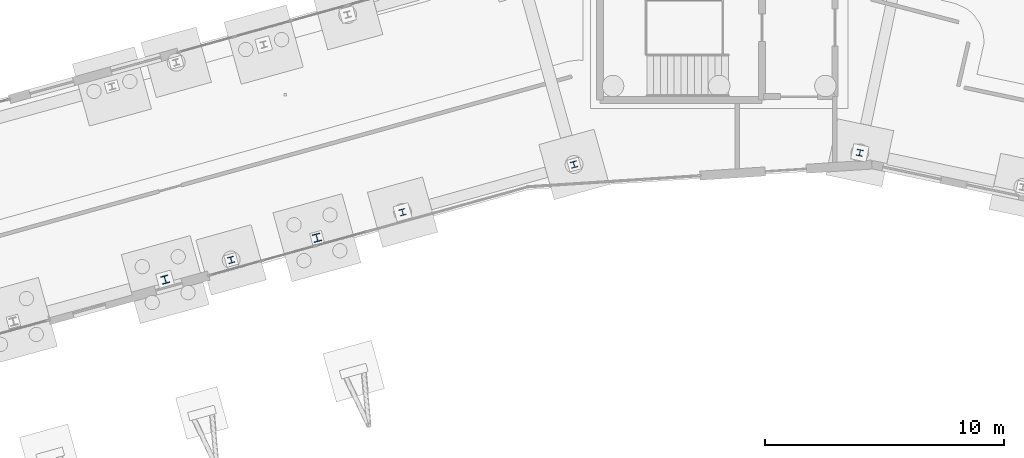
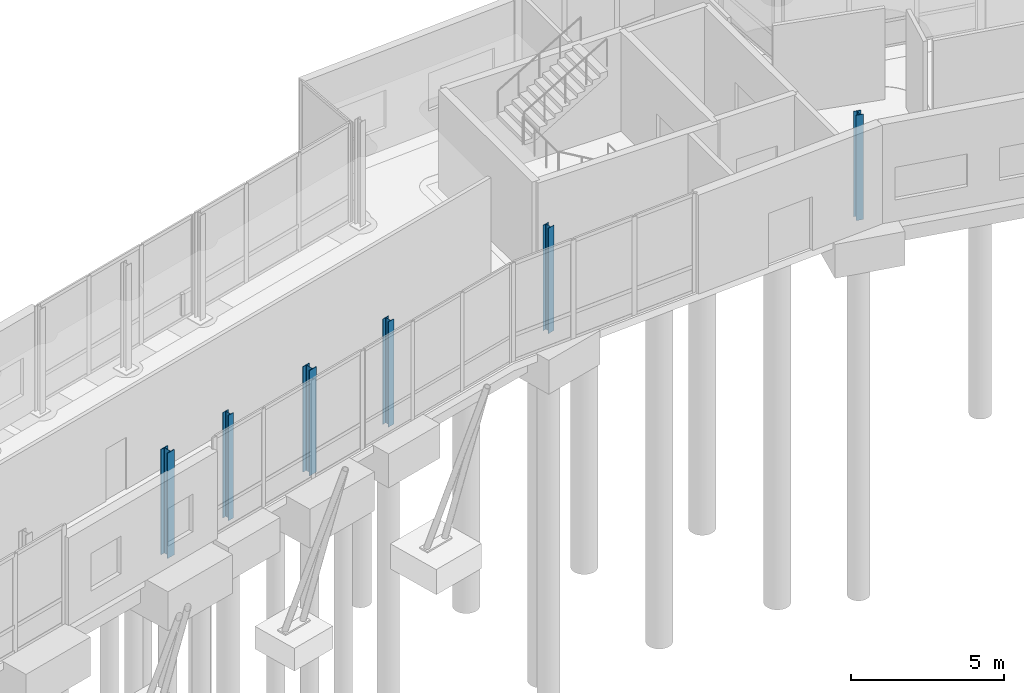
# One storey, part 8 of 113: 6 columns.
"""IFC4 building model written with IfcOpenShell, lengths in metres."""

from ifc_helpers import new_model, si_unit, direction, frame, origin, origin_2d, place, context, subcontext, project, spatial, i_section, extrude, material, material_profile, profile_set, type_object, element, save


model = new_model("IFC4")

# Units and contexts
model_context = context("Model", 3, precision=1e-05, world=origin(), true_north=direction((0.0, 1.0)))
body_context = subcontext(model_context, "Body", "Model", "MODEL_VIEW")
ifc_project = project(units=[si_unit("LENGTHUNIT", "METRE"), si_unit("AREAUNIT", "SQUARE_METRE"), si_unit("VOLUMEUNIT", "CUBIC_METRE"), si_unit("PLANEANGLEUNIT", "RADIAN"), si_unit("MASSUNIT", "GRAM", prefix="KILO")], contexts=[model_context])

# Site, building, storey
site_placement = place(None, origin())
site = spatial("IfcSite", under=ifc_project, at=site_placement, CompositionType="ELEMENT")
building_placement = place(site_placement, origin())
building = spatial("IfcBuilding", under=site, at=building_placement, Name="Wrenclough Park School", CompositionType="ELEMENT")
storey_placement = place(building_placement, origin())
storey = spatial("IfcBuildingStorey", under=building, at=storey_placement, Name="L00", CompositionType="ELEMENT", Elevation=0.0)

# Columns
ifc_material = material(Name="Structural steel S355", Category="steel")
ifc_material_profile_1 = material_profile(ifc_material, i_section(OverallWidth=0.254638671875, OverallDepth=0.254150390625, WebThickness=0.008544921875, FlangeThickness=0.01416015625, FilletRadius=0.0126953125, at=origin_2d()), Name="UKC 254x254x73")
ifc_profile_set_1 = profile_set([ifc_material_profile_1], Name="Structural steel S355")
column_type_1 = type_object("IfcColumnType", Name="STR-COL-UKC254A", PredefinedType="COLUMN", material=ifc_profile_set_1)
for number, where, z_axis, x_axis, name in (
    (1, (73.590087890625, 29.357421875, 0.0), (0.0, 0.0, 1.0), (0.963396876837, 0.268079200424, 0.0), "W12 L00 column W12-C1-R05"),
    (2, (80.777587890625, 31.357421875, 0.0), (0.0, 0.0, 1.0), (0.963396876837, 0.268079200424, 0.0), "W12 L00 column W12-C1-R06"),
    (3, (87.965087890625, 33.357421875, 0.0), (0.0, 0.0, 1.0), (0.963396876837, 0.268079200424, 0.0), "W12 L00 column W12-C1-R07"),
    (4, (99.944091796875, 33.848388671875, 0.0), (0.0, 0.0, 1.0), (0.978364788978, -0.206887263232, 0.0), "W12 L00 column W12-C2-R01"),
):
    element("IfcColumn", number, at=place(storey_placement, frame(where, z_axis=z_axis, x_axis=x_axis)), inside=storey, type_object=column_type_1, Name=name, PredefinedType="COLUMN", context=body_context, shape_type="SweptSolid", body=[
        extrude(i_section(OverallWidth=0.254638671875, OverallDepth=0.254150390625, WebThickness=0.008544921875, FlangeThickness=0.01416015625, FilletRadius=0.0126953125, at=origin_2d()), origin(), (0.0, 0.0, 1.0), 4.199951171875),
    ])
ifc_material_profile_2 = material_profile(ifc_material, i_section(OverallWidth=0.311279296875, OverallDepth=0.3271484375, WebThickness=0.015869140625, FlangeThickness=0.02490234375, FilletRadius=0.01513671875, at=origin_2d()), Name="UKC 305x305x158")
ifc_profile_set_2 = profile_set([ifc_material_profile_2], Name="Structural steel S355")
column_type_2 = type_object("IfcColumnType", Name="STR-COL-UKC305B", PredefinedType="COLUMN", material=ifc_profile_set_2)
for number, where, z_axis, x_axis, name in (
    (5, (70.824462890625, 28.5322265625, 0.0), (0.0, 0.0, 1.0), (0.964002648928, 0.265892634084, 0.0), "W12 L00 column EAVE-ENTRANCE-F3"),
    (6, (77.18701171875, 30.287109375, 0.0), (0.0, 0.0, 1.0), (0.964002648928, 0.265892634084, 0.0), "W12 L00 column EAVE-ENTRANCE-F4"),
):
    element("IfcColumn", number, at=place(storey_placement, frame(where, z_axis=z_axis, x_axis=x_axis)), inside=storey, type_object=column_type_2, Name=name, PredefinedType="COLUMN", context=body_context, shape_type="SweptSolid", body=[
        extrude(i_section(OverallWidth=0.311279296875, OverallDepth=0.3271484375, WebThickness=0.015869140625, FlangeThickness=0.02490234375, FilletRadius=0.01513671875, at=origin_2d()), origin(), (0.0, 0.0, 1.0), 4.199951171875),
    ])

save(model, "model.ifc")
